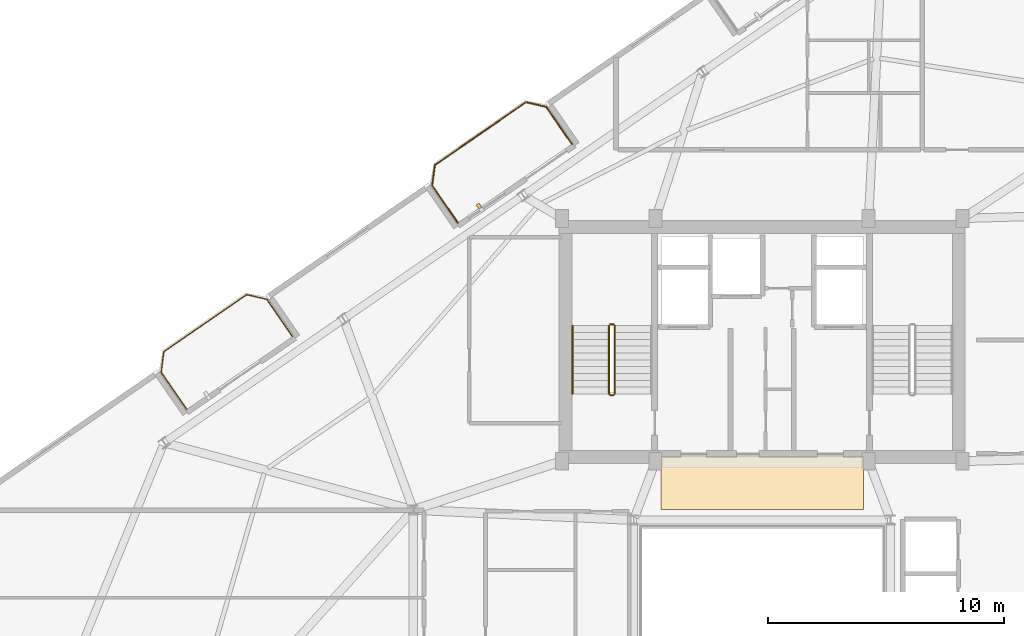
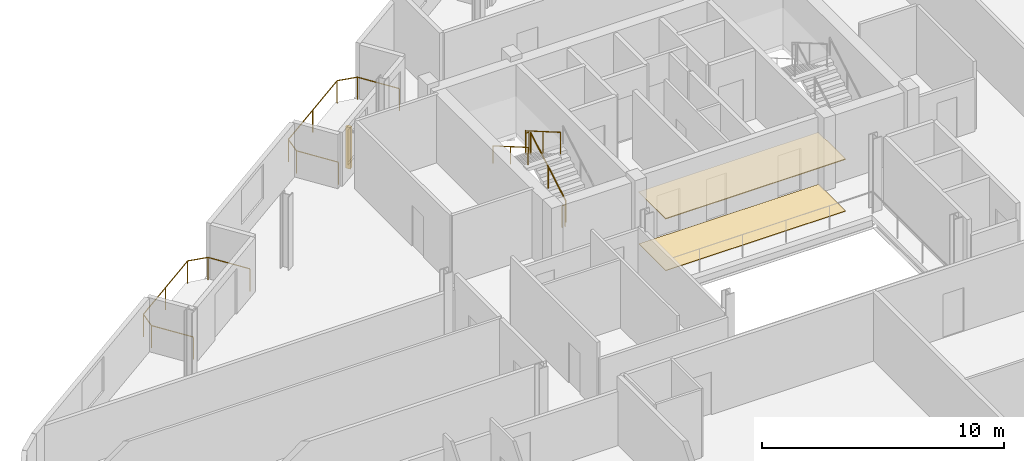
# One storey, part 20 of 21: 7 railings, 2 coverings, 1 shading device.
"""IFC4 building model written with IfcOpenShell, lengths in metres."""

from ifc_helpers import new_model, si_unit, direction, frame, origin, origin_2d, place, context, subcontext, project, spatial, rectangle, circle, extrude, source, transform, mapped, material, layer, layer_set, type_object, element, save


model = new_model("IFC4")

# Units and contexts
model_context = context("Model", 3, precision=1e-05, world=origin(), true_north=direction((0.0, 1.0)))
body_context = subcontext(model_context, "Body", "Model", "MODEL_VIEW")
ifc_project = project(units=[si_unit("LENGTHUNIT", "METRE"), si_unit("AREAUNIT", "SQUARE_METRE"), si_unit("VOLUMEUNIT", "CUBIC_METRE"), si_unit("PLANEANGLEUNIT", "RADIAN"), si_unit("MASSUNIT", "GRAM", prefix="KILO")], contexts=[model_context])

# Site, building, storey
site_placement = place(None, origin())
site = spatial("IfcSite", under=ifc_project, at=site_placement, CompositionType="ELEMENT")
building_placement = place(site_placement, origin())
building = spatial("IfcBuilding", under=site, at=building_placement, Name="Varnelok Gate Tower", CompositionType="ELEMENT")
storey_placement = place(building_placement, frame((0.0, 0.0, 276.699951171875)))
storey = spatial("IfcBuildingStorey", under=building, at=storey_placement, Name="L71", CompositionType="ELEMENT", Elevation=276.699951171875)

# Railings
ifc_material_1 = material(Name="Low-E Laminated Double Glazing IGU", Category="glass")
railing_type_1 = type_object("IfcRailingType", Name="RL-BALC-1150", PredefinedType="BALUSTRADE", material=ifc_material_1)
railing_1_placement = place(storey_placement, frame((14.781982421875, 30.944580078125, 0.0)))
element("IfcRailing", 1, at=railing_1_placement, inside=storey, type_object=railing_type_1, Name="L71 North Terrace Balustrade 4", PredefinedType="BALUSTRADE", context=body_context, shape_type="SweptSolid", body=[
    extrude(circle(Radius=0.02392578125, at=origin_2d()), frame((0.0, 0.0, 1.1259765625), z_axis=(-0.567284155424, 0.82352212296, 0.0), x_axis=(-0.82352212296, -0.567284155424, 0.0)), (0.0, 0.0, 1.0), 1.919921875),
    extrude(circle(Radius=0.02392578125, at=origin_2d()), frame((-1.089111328125, 1.5810546875, 1.1259765625), z_axis=(0.133475040405, 0.991052175008, 0.0), x_axis=(-0.991052175008, 0.133475040405, 0.0)), (0.0, 0.0, 1.0), 0.8779296875),
    extrude(circle(Radius=0.02392578125, at=origin_2d()), frame((-0.971923828125, 2.451171875, 1.1259765625), z_axis=(0.82355749358, 0.567232804735, 0.0), x_axis=(-0.567232804735, 0.82355749358, 0.0)), (0.0, 0.0, 1.0), 4.26708984375),
    extrude(circle(Radius=0.02392578125, at=origin_2d()), frame((2.542236328125, 4.87158203125, 1.1259765625), z_axis=(0.973511928193, -0.228636229993, 0.0), x_axis=(0.228636229993, 0.973511928193, 0.0)), (0.0, 0.0, 1.0), 0.877685546875),
    extrude(circle(Radius=0.02392578125, at=origin_2d()), frame((3.396728515625, 4.6708984375, 1.1259765625), z_axis=(0.567284155424, -0.82352212296, 0.0), x_axis=(0.82352212296, 0.567284155424, 0.0)), (0.0, 0.0, 1.0), 1.919921875),
    extrude(circle(Radius=0.02099609375, at=origin_2d()), origin(), (0.0, 0.0, 1.0), 1.101806640625),
    extrude(circle(Radius=0.02099609375, at=origin_2d()), frame((-1.089111328125, 1.5810546875, 0.0)), (0.0, 0.0, 1.0), 1.101806640625),
    extrude(circle(Radius=0.02099609375, at=origin_2d()), frame((-0.971923828125, 2.451171875, 0.0)), (0.0, 0.0, 1.0), 1.101806640625),
    extrude(circle(Radius=0.02099609375, at=origin_2d()), frame((0.78515625, 3.661376953125, 0.0)), (0.0, 0.0, 1.0), 1.101806640625),
    extrude(circle(Radius=0.02099609375, at=origin_2d()), frame((2.542236328125, 4.87158203125, 0.0)), (0.0, 0.0, 1.0), 1.101806640625),
    extrude(circle(Radius=0.02099609375, at=origin_2d()), frame((3.396728515625, 4.6708984375, 0.0)), (0.0, 0.0, 1.0), 1.101806640625),
    extrude(circle(Radius=0.02099609375, at=origin_2d()), frame((4.48583984375, 3.08984375, 0.0)), (0.0, 0.0, 1.0), 1.101806640625),
])
railing_2_placement = place(storey_placement, frame((26.2841796875, 38.86767578125, 0.0)))
element("IfcRailing", 2, at=railing_2_placement, inside=storey, type_object=railing_type_1, Name="L71 North Terrace Balustrade 5", PredefinedType="BALUSTRADE", context=body_context, shape_type="SweptSolid", body=[
    extrude(circle(Radius=0.02392578125, at=origin_2d()), frame((0.0, 0.0, 1.1259765625), z_axis=(-0.567197904061, 0.82358153065, 0.0), x_axis=(-0.82358153065, -0.567197904061, 0.0)), (0.0, 0.0, 1.0), 1.919677734375),
    extrude(circle(Radius=0.02392578125, at=origin_2d()), frame((-1.0888671875, 1.5810546875, 1.1259765625), z_axis=(0.133238627421, 0.991083986433, 0.0), x_axis=(-0.991083986433, 0.133238627421, 0.0)), (0.0, 0.0, 1.0), 0.877685546875),
    extrude(circle(Radius=0.02392578125, at=origin_2d()), frame((-0.971923828125, 2.450927734375, 1.1259765625), z_axis=(0.823523239622, 0.567282534371, 0.0), x_axis=(-0.567282534371, 0.823523239622, 0.0)), (0.0, 0.0, 1.0), 4.699951171875),
    extrude(circle(Radius=0.02392578125, at=origin_2d()), frame((2.898681640625, 5.1171875, 1.1259765625), z_axis=(0.973526462254, -0.228574336467, 0.0), x_axis=(0.228574336467, 0.973526462254, 0.0)), (0.0, 0.0, 1.0), 0.8779296875),
    extrude(circle(Radius=0.02392578125, at=origin_2d()), frame((3.75341796875, 4.91650390625, 1.1259765625), z_axis=(0.567284155424, -0.82352212296, 0.0), x_axis=(0.82352212296, 0.567284155424, 0.0)), (0.0, 0.0, 1.0), 1.919921875),
    extrude(circle(Radius=0.02099609375, at=origin_2d()), origin(), (0.0, 0.0, 1.0), 1.101806640625),
    extrude(circle(Radius=0.02099609375, at=origin_2d()), frame((-1.0888671875, 1.5810546875, 0.0)), (0.0, 0.0, 1.0), 1.101806640625),
    extrude(circle(Radius=0.02099609375, at=origin_2d()), frame((-0.971923828125, 2.450927734375, 0.0)), (0.0, 0.0, 1.0), 1.101806640625),
    extrude(circle(Radius=0.02099609375, at=origin_2d()), frame((0.96337890625, 3.7841796875, 0.0)), (0.0, 0.0, 1.0), 1.101806640625),
    extrude(circle(Radius=0.02099609375, at=origin_2d()), frame((2.898681640625, 5.1171875, 0.0)), (0.0, 0.0, 1.0), 1.101806640625),
    extrude(circle(Radius=0.02099609375, at=origin_2d()), frame((3.75341796875, 4.91650390625, 0.0)), (0.0, 0.0, 1.0), 1.101806640625),
    extrude(circle(Radius=0.02099609375, at=origin_2d()), frame((4.842529296875, 3.33544921875, 0.0)), (0.0, 0.0, 1.0), 1.101806640625),
])
ifc_material_2 = material(Name="Brushed Stainless Steel AISI 316", Category="steel")
railing_type_2 = type_object("IfcRailingType", Name="RL-HANDRAIL-900", PredefinedType="HANDRAIL", material=ifc_material_2)
railing_3_placement = place(storey_placement, frame((31.14990234375, 34.5, 2.018310546875)))
element("IfcRailing", 3, at=railing_3_placement, inside=storey, type_object=railing_type_2, Name="L71 ST-1 stair handrail 2", PredefinedType="HANDRAIL", context=body_context, shape_type="SweptSolid", body=[
    extrude(circle(Radius=0.02392578125, at=origin_2d()), frame((0.0, 0.0, 0.8759765625), z_axis=(0.0, -0.86507038078, 0.501650512107), x_axis=(1.0, 0.0, 0.0)), (0.0, 0.0, 1.0), 3.352294921875),
    extrude(circle(Radius=0.02099609375, at=origin_2d()), origin(), (0.0, 0.0, 1.0), 0.851806640625),
    extrude(circle(Radius=0.02099609375, at=origin_2d()), frame((0.0, -1.449951171875, 0.8408203125)), (0.0, 0.0, 1.0), 0.851806640625),
    extrude(circle(Radius=0.02099609375, at=origin_2d()), frame((0.0, -2.89990234375, 1.681640625)), (0.0, 0.0, 1.0), 0.851806640625),
])
ifc_material_3 = material(Name="Galvanized Steel Grade S350GD", Category="steel")
railing_type_3 = type_object("IfcRailingType", Name="RL-STAIR-GUARD1120", PredefinedType="GUARDRAIL", material=ifc_material_3)
railing_4_placement = place(storey_placement, frame((32.949951171875, 31.60009765625, 0.168212890625)))
element("IfcRailing", 4, at=railing_4_placement, inside=storey, type_object=railing_type_3, Name="L71 ST-1 stair guard 1", PredefinedType="GUARDRAIL", context=body_context, shape_type="SweptSolid", body=[
    extrude(circle(Radius=0.02392578125, at=origin_2d()), frame((0.0, 0.0, 1.09619140625), z_axis=(0.0, 0.865038774852, 0.501705010941), x_axis=(-1.0, 0.0, 0.0)), (0.0, 0.0, 1.0), 3.352294921875),
    extrude(circle(Radius=0.02099609375, at=origin_2d()), origin(), (0.0, 0.0, 1.0), 1.072021484375),
    extrude(circle(Radius=0.02099609375, at=origin_2d()), frame((0.0, 1.449951171875, 0.8408203125)), (0.0, 0.0, 1.0), 1.072021484375),
    extrude(circle(Radius=0.02099609375, at=origin_2d()), frame((0.0, 2.89990234375, 1.681884765625)), (0.0, 0.0, 1.0), 1.072021484375),
])
railing_5_placement = place(storey_placement, frame((32.89990234375, 34.550048828125, 1.85009765625)))
element("IfcRailing", 5, at=railing_5_placement, inside=storey, type_object=railing_type_3, Name="L71 ST-1 stair guard 2", PredefinedType="GUARDRAIL", context=body_context, shape_type="SweptSolid", body=[
    extrude(circle(Radius=0.02392578125, at=origin_2d()), frame((0.0, 0.0, 1.09619140625), z_axis=(-1.0, 0.0, 0.0), x_axis=(0.0, -1.0, 0.0)), (0.0, 0.0, 1.0), 0.14990234375),
    extrude(circle(Radius=0.02099609375, at=origin_2d()), origin(), (0.0, 0.0, 1.0), 1.072021484375),
    extrude(circle(Radius=0.02099609375, at=origin_2d()), frame((-0.14990234375, 0.0, 0.0)), (0.0, 0.0, 1.0), 1.072021484375),
])
railing_6_placement = place(storey_placement, frame((32.699951171875, 34.5, 2.018310546875)))
element("IfcRailing", 6, at=railing_6_placement, inside=storey, type_object=railing_type_3, Name="L71 ST-1 stair guard 3", PredefinedType="GUARDRAIL", context=body_context, shape_type="SweptSolid", body=[
    extrude(circle(Radius=0.02392578125, at=origin_2d()), frame((0.0, 0.0, 1.09619140625), z_axis=(0.0, -0.86507038078, 0.501650512107), x_axis=(1.0, 0.0, 0.0)), (0.0, 0.0, 1.0), 3.352294921875),
    extrude(circle(Radius=0.02099609375, at=origin_2d()), origin(), (0.0, 0.0, 1.0), 1.072021484375),
    extrude(circle(Radius=0.02099609375, at=origin_2d()), frame((0.0, -1.449951171875, 0.8408203125)), (0.0, 0.0, 1.0), 1.072021484375),
    extrude(circle(Radius=0.02099609375, at=origin_2d()), frame((0.0, -2.89990234375, 1.681640625)), (0.0, 0.0, 1.0), 1.072021484375),
])
railing_7_placement = place(storey_placement, frame((32.89990234375, 31.550048828125, 0.0)))
element("IfcRailing", 7, at=railing_7_placement, inside=storey, type_object=railing_type_3, Name="L71 ST-1 stair guard 4", PredefinedType="GUARDRAIL", context=body_context, shape_type="SweptSolid", body=[
    extrude(circle(Radius=0.02392578125, at=origin_2d()), frame((0.0, 0.0, 1.09619140625), z_axis=(-1.0, 0.0, 0.0), x_axis=(0.0, -1.0, 0.0)), (0.0, 0.0, 1.0), 0.14990234375),
    extrude(circle(Radius=0.02099609375, at=origin_2d()), origin(), (0.0, 0.0, 1.0), 1.072021484375),
    extrude(circle(Radius=0.02099609375, at=origin_2d()), frame((-0.14990234375, 0.0, 0.0)), (0.0, 0.0, 1.0), 1.072021484375),
])

# Shading device
ifc_material_4 = material(Name="Glazed Architectural Terracotta Ceramic", Category="masonry")
shading_device_type = type_object("IfcShadingDeviceType", Name="SHD-TERRA-FIN", PredefinedType="USERDEFINED", material=ifc_material_4)
shared_shape_1 = source(origin(), body_context, "Body", "SweptSolid", [
    extrude(rectangle(XDim=0.139892578125, YDim=0.219970703125, at=origin_2d()), origin(), (0.0, 0.0, 1.0), 2.10009765625),
])
shading_device_placement = place(storey_placement, frame((27.18359375, 39.572021484375, 0.10009765625), z_axis=(0.0, 0.0, 1.0), x_axis=(0.823532597628, 0.567268949127, 0.0)))
element("IfcShadingDevice", 8, at=shading_device_placement, inside=storey, type_object=shading_device_type, Name="L71 Terracotta Ceramic Baguette Sunscreen 5.1", ObjectType="BAGUETTE", PredefinedType="USERDEFINED", context=body_context, shape_type="MappedRepresentation", body=[
    mapped(shared_shape_1, transform((0.0, 0.0, 0.0), scale=1.0)),
])

# Coverings
ifc_material_5 = material(Name="Honed Travertine Stone Flooring", Category="masonry")
ifc_layer_1 = layer(ifc_material_5, 0.02490234375)
ifc_layer_set_1 = layer_set([ifc_layer_1], Name="Honed Travertine Stone Flooring")
covering_type_1 = type_object("IfcCoveringType", Name="COV-FLOR-STONE", PredefinedType="FLOORING", material=ifc_layer_set_1)
shared_shape_2 = source(origin(), body_context, "Body", "SweptSolid", [
    extrude(rectangle(XDim=8.60009765625, YDim=2.219970703125, at=origin_2d()), origin(), (0.0, 0.0, 1.0), 0.02490234375),
])
covering_1_placement = place(storey_placement, frame((39.199951171875, 27.800048828125, 0.0), z_axis=(0.0, 0.0, 1.0), x_axis=(1.0, 0.0, 0.0)))
element("IfcCovering", 9, at=covering_1_placement, inside=storey, type_object=covering_type_1, Name="L71 Core Gallery Stone Flooring", PredefinedType="FLOORING", context=body_context, shape_type="MappedRepresentation", body=[
    mapped(shared_shape_2, transform((0.0, 0.0, 0.0), scale=1.0)),
])
ifc_material_6 = material(Name="Mineral Fiber Acoustic Ceiling Tile")
ifc_layer_2 = layer(ifc_material_6, 0.0400390625)
ifc_layer_set_2 = layer_set([ifc_layer_2], Name="Mineral Fiber Acoustic Ceiling Tile")
covering_type_2 = type_object("IfcCoveringType", Name="COV-CEIL-ACOUST", PredefinedType="CEILING", material=ifc_layer_set_2)
shared_shape_3 = source(origin(), body_context, "Body", "SweptSolid", [
    extrude(rectangle(XDim=8.60009765625, YDim=2.239990234375, at=origin_2d()), origin(), (0.0, 0.0, 1.0), 0.0400390625),
])
covering_2_placement = place(storey_placement, frame((39.199951171875, 27.820068359375, 2.60009765625), z_axis=(0.0, 0.0, 1.0), x_axis=(1.0, 0.0, 0.0)))
element("IfcCovering", 10, at=covering_2_placement, inside=storey, type_object=covering_type_2, Name="L71 Core Gallery Acoustic Ceiling", PredefinedType="CEILING", context=body_context, shape_type="MappedRepresentation", body=[
    mapped(shared_shape_3, transform((0.0, 0.0, 0.0), scale=1.0)),
])

save(model, "model.ifc")
